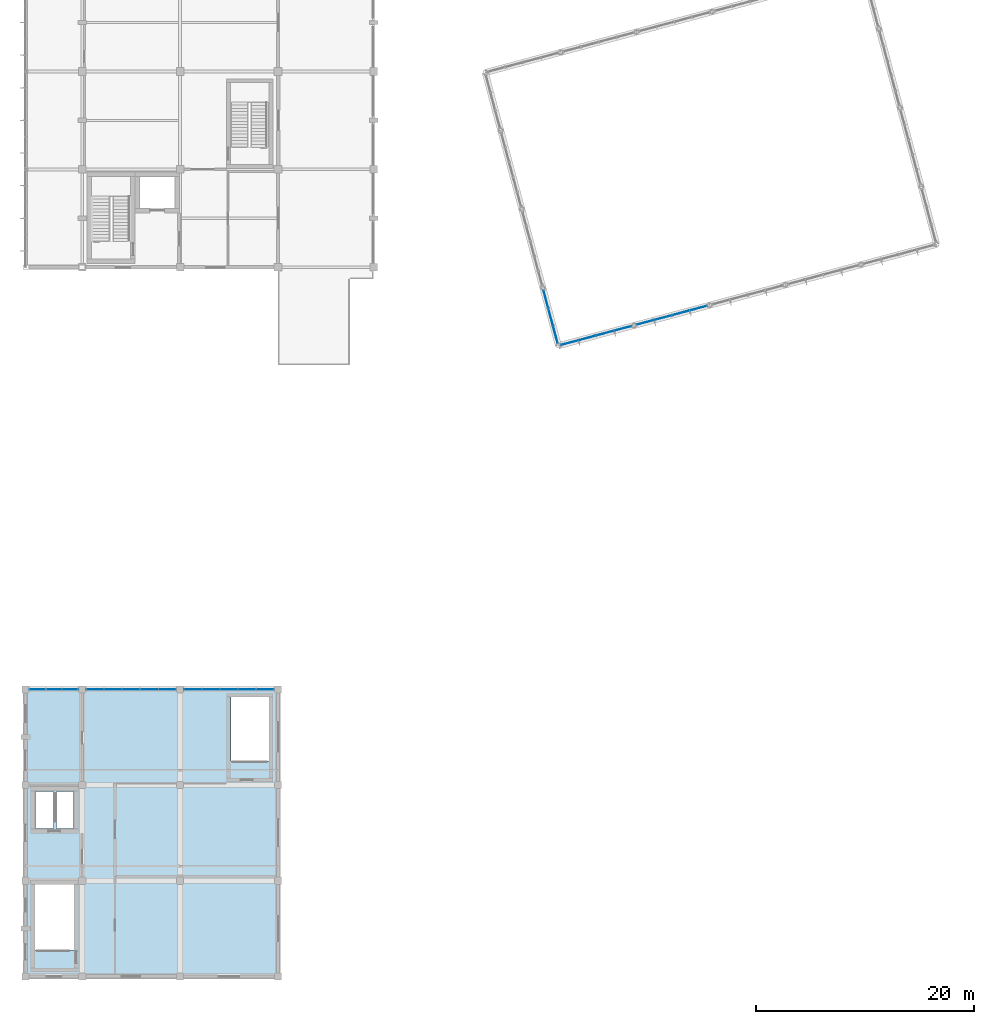
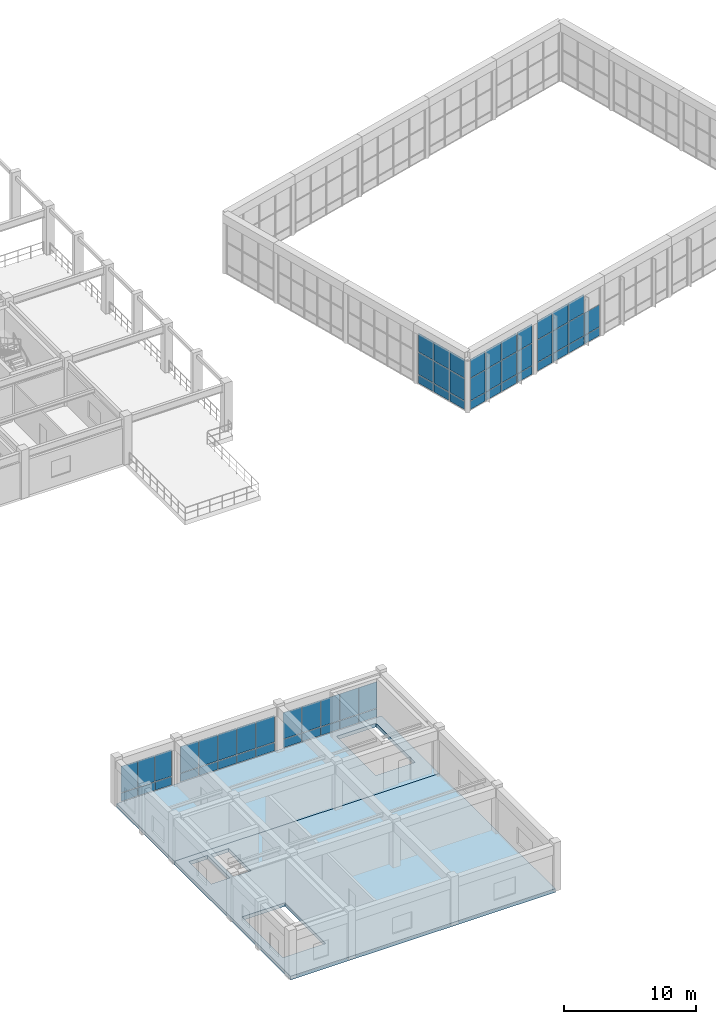
# One storey, part 37 of 55: 58 plates, 2 slabs, 6 elements without a shape of their own.
"""IFC4 building model written with IfcOpenShell, lengths in metres."""

from ifc_helpers import new_model, si_unit, direction, frame, origin, origin_2d, place, context, subcontext, project, spatial, polyline, rectangle, outline, extrude, material, layer, layer_set, type_object, element, aggregate, save


model = new_model("IFC4")

# Units and contexts
model_context = context("Model", 3, precision=1e-05, world=origin(), true_north=direction((0.0, 1.0)))
body_context = subcontext(model_context, "Body", "Model", "MODEL_VIEW")
ifc_project = project(units=[si_unit("LENGTHUNIT", "METRE"), si_unit("AREAUNIT", "SQUARE_METRE"), si_unit("VOLUMEUNIT", "CUBIC_METRE"), si_unit("PLANEANGLEUNIT", "RADIAN"), si_unit("MASSUNIT", "GRAM", prefix="KILO")], contexts=[model_context])

# Site, building, storey
site_placement = place(None, origin())
site = spatial("IfcSite", under=ifc_project, at=site_placement, CompositionType="ELEMENT")
building_placement = place(site_placement, origin())
building = spatial("IfcBuilding", under=site, at=building_placement, Name="Ventoquebrada Cableway Terminal", CompositionType="ELEMENT")
storey_placement = place(building_placement, frame((0.0, 0.0, 14.39990234375)))
storey = spatial("IfcBuildingStorey", under=building, at=storey_placement, Name="L03", CompositionType="ELEMENT", Elevation=14.39990234375)

# Curtain wall, plate
ifc_material_1 = material(Name="Anodized thermally-broken aluminium", Category="aluminium")
ifc_layer_1 = layer(ifc_material_1, 0.159912109375)
ifc_layer_set_1 = layer_set([ifc_layer_1], Name="Anodized thermally-broken aluminium")
curtain_wall_type_1 = type_object("IfcCurtainWallType", Name="CW-T10", PredefinedType="USERDEFINED", material=ifc_layer_set_1)
curtain_wall_1_placement = place(storey_placement, origin())
curtain_wall_1 = element("IfcCurtainWall", 1, at=curtain_wall_1_placement, inside=storey, type_object=curtain_wall_type_1, Name="Unitised glazed curtain wall CW-020", ObjectType="UNITISED CURTAIN WALL", PredefinedType="USERDEFINED")
ifc_material_2 = material(Name="Double low-e laminated safety glazing", Category="glass")
ifc_layer_2 = layer(ifc_material_2, 0.031982421875)
ifc_layer_set_2 = layer_set([ifc_layer_2], Name="Double low-e laminated safety glazing")
plate_type_1 = type_object("IfcPlateType", Name="CWP-GL1", PredefinedType="CURTAIN_PANEL", material=ifc_layer_set_2)
plate_1_placement = place(storey_placement, frame((5.60009765625, 38.199951171875, 0.8798828125), z_axis=(0.0, 0.0, 1.0), x_axis=(-1.0, 0.0, 0.0)))
plate_1 = element("IfcPlate", 2, at=plate_1_placement, type_object=plate_type_1, Name="Vision glazing panel PN-0205", PredefinedType="CURTAIN_PANEL", context=body_context, shape_type="SweptSolid", body=[
    extrude(rectangle(XDim=1.468994140625, YDim=0.031982421875, at=origin_2d()), origin(), (0.0, 0.0, 1.0), 2.430908203125),
])

# Curtain wall, plates
ifc_layer_3 = layer(ifc_material_1, 0.159912109375)
ifc_layer_set_3 = layer_set([ifc_layer_3], Name="Anodized thermally-broken aluminium")
curtain_wall_type_2 = type_object("IfcCurtainWallType", Name="CW-T11", PredefinedType="USERDEFINED", material=ifc_layer_set_3)
curtain_wall_2_placement = place(storey_placement, origin())
curtain_wall_2 = element("IfcCurtainWall", 3, at=curtain_wall_2_placement, inside=storey, type_object=curtain_wall_type_2, Name="Unitised glazed curtain wall CW-021", ObjectType="UNITISED CURTAIN WALL", PredefinedType="USERDEFINED")
plate_2_placement = place(storey_placement, frame((14.367919921875, 38.199951171875, 0.8798828125), z_axis=(0.0, 0.0, 1.0), x_axis=(-1.0, 0.0, 0.0)))
plate_2 = element("IfcPlate", 4, at=plate_2_placement, type_object=plate_type_1, Name="Vision glazing panel PN-0211", PredefinedType="CURTAIN_PANEL", context=body_context, shape_type="SweptSolid", body=[
    extrude(rectangle(XDim=1.6240234375, YDim=0.031982421875, at=origin_2d()), origin(), (0.0, 0.0, 1.0), 2.430908203125),
])
plate_3_placement = place(storey_placement, frame((11.031982421875, 38.199951171875, 0.8798828125), z_axis=(0.0, 0.0, 1.0), x_axis=(-1.0, 0.0, 0.0)))
plate_3 = element("IfcPlate", 5, at=plate_3_placement, type_object=plate_type_1, Name="Vision glazing panel PN-0215", PredefinedType="CURTAIN_PANEL", context=body_context, shape_type="SweptSolid", body=[
    extrude(rectangle(XDim=1.6240234375, YDim=0.031982421875, at=origin_2d()), origin(), (0.0, 0.0, 1.0), 2.430908203125),
])

curtain_wall_3_placement = place(storey_placement, origin())
curtain_wall_3 = element("IfcCurtainWall", 6, at=curtain_wall_3_placement, inside=storey, type_object=curtain_wall_type_2, Name="Unitised glazed curtain wall CW-022", ObjectType="UNITISED CURTAIN WALL", PredefinedType="USERDEFINED")
plate_4_placement = place(storey_placement, frame((23.367919921875, 38.199951171875, 0.8798828125), z_axis=(0.0, 0.0, 1.0), x_axis=(-1.0, 0.0, 0.0)))
plate_4 = element("IfcPlate", 7, at=plate_4_placement, type_object=plate_type_1, Name="Vision glazing panel PN-0221", PredefinedType="CURTAIN_PANEL", context=body_context, shape_type="SweptSolid", body=[
    extrude(rectangle(XDim=1.6240234375, YDim=0.031982421875, at=origin_2d()), origin(), (0.0, 0.0, 1.0), 2.430908203125),
])
plate_5_placement = place(storey_placement, frame((20.031982421875, 38.199951171875, 0.8798828125), z_axis=(0.0, 0.0, 1.0), x_axis=(-1.0, 0.0, 0.0)))
plate_5 = element("IfcPlate", 8, at=plate_5_placement, type_object=plate_type_1, Name="Vision glazing panel PN-0225", PredefinedType="CURTAIN_PANEL", context=body_context, shape_type="SweptSolid", body=[
    extrude(rectangle(XDim=1.6240234375, YDim=0.031982421875, at=origin_2d()), origin(), (0.0, 0.0, 1.0), 2.430908203125),
])

ifc_layer_4 = layer(ifc_material_1, 0.159912109375)
ifc_layer_set_4 = layer_set([ifc_layer_4], Name="Anodized thermally-broken aluminium")
curtain_wall_type_3 = type_object("IfcCurtainWallType", Name="CW-T42", PredefinedType="USERDEFINED", material=ifc_layer_set_4)
curtain_wall_4_placement = place(storey_placement, origin())
curtain_wall_4 = element("IfcCurtainWall", 9, at=curtain_wall_4_placement, inside=storey, type_object=curtain_wall_type_3, Name="Unitised glazed curtain wall CW-115", ObjectType="UNITISED CURTAIN WALL", PredefinedType="USERDEFINED")
plate_6_placement = place(storey_placement, frame((53.014892578125, 70.06201171875, 2.9697265625), z_axis=(0.0, 0.0, 1.0), x_axis=(0.965921308897, 0.258835903649, 0.0)))
plate_6 = element("IfcPlate", 10, at=plate_6_placement, type_object=plate_type_1, Name="Vision glazing panel PN-1193", PredefinedType="CURTAIN_PANEL", context=body_context, shape_type="SweptSolid", body=[
    extrude(rectangle(XDim=1.60205078125, YDim=0.031982421875, at=origin_2d()), origin(), (0.0, 0.0, 1.0), 1.720947265625),
])
plate_7_placement = place(storey_placement, frame((54.635986328125, 70.49609375, 0.874267578125), z_axis=(0.0, 0.0, 1.0), x_axis=(0.965921308897, 0.258835903649, 0.0)))
plate_7 = element("IfcPlate", 11, at=plate_7_placement, type_object=plate_type_1, Name="Vision glazing panel PN-1195", PredefinedType="CURTAIN_PANEL", context=body_context, shape_type="SweptSolid", body=[
    extrude(rectangle(XDim=1.636962890625, YDim=0.031982421875, at=origin_2d()), origin(), (0.0, 0.0, 1.0), 2.0458984375),
])
plate_8_placement = place(storey_placement, frame((56.27490234375, 70.93603515625, 2.9697265625), z_axis=(0.0, 0.0, 1.0), x_axis=(0.965921308897, 0.258835903649, 0.0)))
plate_8 = element("IfcPlate", 12, at=plate_8_placement, type_object=plate_type_1, Name="Vision glazing panel PN-1199", PredefinedType="CURTAIN_PANEL", context=body_context, shape_type="SweptSolid", body=[
    extrude(rectangle(XDim=1.636962890625, YDim=0.031982421875, at=origin_2d()), origin(), (0.0, 0.0, 1.0), 1.720947265625),
])
plate_9_placement = place(storey_placement, frame((57.89599609375, 71.3701171875, 0.874267578125), z_axis=(0.0, 0.0, 1.0), x_axis=(0.965921308897, 0.258835903649, 0.0)))
plate_9 = element("IfcPlate", 13, at=plate_9_placement, type_object=plate_type_1, Name="Vision glazing panel PN-1201", PredefinedType="CURTAIN_PANEL", context=body_context, shape_type="SweptSolid", body=[
    extrude(rectangle(XDim=1.60205078125, YDim=0.031982421875, at=origin_2d()), origin(), (0.0, 0.0, 1.0), 2.0458984375),
])

curtain_wall_5_placement = place(storey_placement, origin())
curtain_wall_5 = element("IfcCurtainWall", 14, at=curtain_wall_5_placement, inside=storey, type_object=curtain_wall_type_3, Name="Unitised glazed curtain wall CW-116", ObjectType="UNITISED CURTAIN WALL", PredefinedType="USERDEFINED")
plate_10_placement = place(storey_placement, frame((59.969970703125, 71.925048828125, 2.9697265625), z_axis=(0.0, 0.0, 1.0), x_axis=(0.965948408834, 0.258734751187, 0.0)))
plate_10 = element("IfcPlate", 15, at=plate_10_placement, type_object=plate_type_1, Name="Vision glazing panel PN-1205", PredefinedType="CURTAIN_PANEL", context=body_context, shape_type="SweptSolid", body=[
    extrude(rectangle(XDim=1.60205078125, YDim=0.031982421875, at=origin_2d()), origin(), (0.0, 0.0, 1.0), 1.720947265625),
])
plate_11_placement = place(storey_placement, frame((61.591064453125, 72.360107421875, 0.874267578125), z_axis=(0.0, 0.0, 1.0), x_axis=(0.965948408834, 0.258734751187, 0.0)))
plate_11 = element("IfcPlate", 16, at=plate_11_placement, type_object=plate_type_1, Name="Vision glazing panel PN-1207", PredefinedType="CURTAIN_PANEL", context=body_context, shape_type="SweptSolid", body=[
    extrude(rectangle(XDim=1.636962890625, YDim=0.031982421875, at=origin_2d()), origin(), (0.0, 0.0, 1.0), 2.0458984375),
])
plate_12_placement = place(storey_placement, frame((63.22900390625, 72.799072265625, 2.9697265625), z_axis=(0.0, 0.0, 1.0), x_axis=(0.965948408834, 0.258734751187, 0.0)))
plate_12 = element("IfcPlate", 17, at=plate_12_placement, type_object=plate_type_1, Name="Vision glazing panel PN-1211", PredefinedType="CURTAIN_PANEL", context=body_context, shape_type="SweptSolid", body=[
    extrude(rectangle(XDim=1.636962890625, YDim=0.031982421875, at=origin_2d()), origin(), (0.0, 0.0, 1.0), 1.720947265625),
])
plate_13_placement = place(storey_placement, frame((64.85009765625, 73.23291015625, 0.874267578125), z_axis=(0.0, 0.0, 1.0), x_axis=(0.965948408834, 0.258734751187, 0.0)))
plate_13 = element("IfcPlate", 18, at=plate_13_placement, type_object=plate_type_1, Name="Vision glazing panel PN-1213", PredefinedType="CURTAIN_PANEL", context=body_context, shape_type="SweptSolid", body=[
    extrude(rectangle(XDim=1.60205078125, YDim=0.031982421875, at=origin_2d()), origin(), (0.0, 0.0, 1.0), 2.0458984375),
])

ifc_layer_5 = layer(ifc_material_1, 0.159912109375)
ifc_layer_set_5 = layer_set([ifc_layer_5], Name="Anodized thermally-broken aluminium")
curtain_wall_type_4 = type_object("IfcCurtainWallType", Name="CW-T43", PredefinedType="USERDEFINED", material=ifc_layer_set_5)
curtain_wall_6_placement = place(storey_placement, origin())
curtain_wall_6 = element("IfcCurtainWall", 19, at=curtain_wall_6_placement, inside=storey, type_object=curtain_wall_type_4, Name="Unitised glazed curtain wall CW-125", ObjectType="UNITISED CURTAIN WALL", PredefinedType="USERDEFINED")
plate_14_placement = place(storey_placement, frame((50.8310546875, 74.06103515625, 2.974609375), z_axis=(0.0, 0.0, 1.0), x_axis=(0.258835903649, -0.965921308897, 0.0)))
plate_14 = element("IfcPlate", 20, at=plate_14_placement, type_object=plate_type_1, Name="Vision glazing panel PN-1313", PredefinedType="CURTAIN_PANEL", context=body_context, shape_type="SweptSolid", body=[
    extrude(rectangle(XDim=1.60107421875, YDim=0.031982421875, at=origin_2d()), origin(), (0.0, 0.0, 1.0), 1.7109375),
])
plate_15_placement = place(storey_placement, frame((51.26611328125, 72.44091796875, 0.87939453125), z_axis=(0.0, 0.0, 1.0), x_axis=(0.258835903649, -0.965921308897, 0.0)))
plate_15 = element("IfcPlate", 21, at=plate_15_placement, type_object=plate_type_1, Name="Vision glazing panel PN-1315", PredefinedType="CURTAIN_PANEL", context=body_context, shape_type="SweptSolid", body=[
    extrude(rectangle(XDim=1.635986328125, YDim=0.031982421875, at=origin_2d()), origin(), (0.0, 0.0, 1.0), 2.035888671875),
])
plate_16_placement = place(storey_placement, frame((51.699951171875, 70.820068359375, 2.974609375), z_axis=(0.0, 0.0, 1.0), x_axis=(0.258835903649, -0.965921308897, 0.0)))
plate_16 = element("IfcPlate", 22, at=plate_16_placement, type_object=plate_type_1, Name="Vision glazing panel PN-1319", PredefinedType="CURTAIN_PANEL", context=body_context, shape_type="SweptSolid", body=[
    extrude(rectangle(XDim=1.60107421875, YDim=0.031982421875, at=origin_2d()), origin(), (0.0, 0.0, 1.0), 1.7109375),
])

# Plate
ifc_layer_6 = layer(ifc_material_2, 0.0380859375)
ifc_layer_set_6 = layer_set([ifc_layer_6], Name="Double low-e laminated safety glazing")
plate_type_2 = type_object("IfcPlateType", Name="CWP-GL2", PredefinedType="CURTAIN_PANEL", material=ifc_layer_set_6)
plate_17_placement = place(storey_placement, frame((7.095947265625, 38.199951171875, 0.8798828125), z_axis=(0.0, 0.0, 1.0), x_axis=(-1.0, 0.0, 0.0)))
plate_17 = element("IfcPlate", 23, at=plate_17_placement, type_object=plate_type_2, Name="Vision glazing panel PN-0203", PredefinedType="CURTAIN_PANEL", context=body_context, shape_type="SweptSolid", body=[
    extrude(rectangle(XDim=1.43408203125, YDim=0.0380859375, at=origin_2d()), origin(), (0.0, 0.0, 1.0), 2.430908203125),
])

plate_18_placement = place(storey_placement, frame((4.10400390625, 38.199951171875, 0.8798828125), z_axis=(0.0, 0.0, 1.0), x_axis=(-1.0, 0.0, 0.0)))
plate_18 = element("IfcPlate", 24, at=plate_18_placement, type_object=plate_type_2, Name="Vision glazing panel PN-0207", PredefinedType="CURTAIN_PANEL", context=body_context, shape_type="SweptSolid", body=[
    extrude(rectangle(XDim=1.43408203125, YDim=0.0380859375, at=origin_2d()), origin(), (0.0, 0.0, 1.0), 2.430908203125),
])

plate_19_placement = place(storey_placement, frame((16.01806640625, 38.199951171875, 0.8798828125), z_axis=(0.0, 0.0, 1.0), x_axis=(-1.0, 0.0, 0.0)))
plate_19 = element("IfcPlate", 25, at=plate_19_placement, type_object=plate_type_2, Name="Vision glazing panel PN-0209", PredefinedType="CURTAIN_PANEL", context=body_context, shape_type="SweptSolid", body=[
    extrude(rectangle(XDim=1.589111328125, YDim=0.0380859375, at=origin_2d()), origin(), (0.0, 0.0, 1.0), 2.430908203125),
])

plate_20_placement = place(storey_placement, frame((12.699951171875, 38.199951171875, 0.8798828125), z_axis=(0.0, 0.0, 1.0), x_axis=(-1.0, 0.0, 0.0)))
plate_20 = element("IfcPlate", 26, at=plate_20_placement, type_object=plate_type_2, Name="Vision glazing panel PN-0213", PredefinedType="CURTAIN_PANEL", context=body_context, shape_type="SweptSolid", body=[
    extrude(rectangle(XDim=1.6240234375, YDim=0.0380859375, at=origin_2d()), origin(), (0.0, 0.0, 1.0), 2.430908203125),
])

plate_21_placement = place(storey_placement, frame((9.381103515625, 38.199951171875, 0.8798828125), z_axis=(0.0, 0.0, 1.0), x_axis=(-1.0, 0.0, 0.0)))
plate_21 = element("IfcPlate", 27, at=plate_21_placement, type_object=plate_type_2, Name="Vision glazing panel PN-0217", PredefinedType="CURTAIN_PANEL", context=body_context, shape_type="SweptSolid", body=[
    extrude(rectangle(XDim=1.589111328125, YDim=0.0380859375, at=origin_2d()), origin(), (0.0, 0.0, 1.0), 2.430908203125),
])

plate_22_placement = place(storey_placement, frame((25.01806640625, 38.199951171875, 0.8798828125), z_axis=(0.0, 0.0, 1.0), x_axis=(-1.0, 0.0, 0.0)))
plate_22 = element("IfcPlate", 28, at=plate_22_placement, type_object=plate_type_2, Name="Vision glazing panel PN-0219", PredefinedType="CURTAIN_PANEL", context=body_context, shape_type="SweptSolid", body=[
    extrude(rectangle(XDim=1.589111328125, YDim=0.0380859375, at=origin_2d()), origin(), (0.0, 0.0, 1.0), 2.430908203125),
])

plate_23_placement = place(storey_placement, frame((21.699951171875, 38.199951171875, 0.8798828125), z_axis=(0.0, 0.0, 1.0), x_axis=(-1.0, 0.0, 0.0)))
plate_23 = element("IfcPlate", 29, at=plate_23_placement, type_object=plate_type_2, Name="Vision glazing panel PN-0223", PredefinedType="CURTAIN_PANEL", context=body_context, shape_type="SweptSolid", body=[
    extrude(rectangle(XDim=1.6240234375, YDim=0.0380859375, at=origin_2d()), origin(), (0.0, 0.0, 1.0), 2.430908203125),
])

plate_24_placement = place(storey_placement, frame((18.381103515625, 38.199951171875, 0.8798828125), z_axis=(0.0, 0.0, 1.0), x_axis=(-1.0, 0.0, 0.0)))
plate_24 = element("IfcPlate", 30, at=plate_24_placement, type_object=plate_type_2, Name="Vision glazing panel PN-0227", PredefinedType="CURTAIN_PANEL", context=body_context, shape_type="SweptSolid", body=[
    extrude(rectangle(XDim=1.589111328125, YDim=0.0380859375, at=origin_2d()), origin(), (0.0, 0.0, 1.0), 2.430908203125),
])

plate_25_placement = place(storey_placement, frame((53.014892578125, 70.06201171875, 0.874267578125), z_axis=(0.0, 0.0, 1.0), x_axis=(0.965921308897, 0.258835903649, 0.0)))
plate_25 = element("IfcPlate", 31, at=plate_25_placement, type_object=plate_type_2, Name="Vision glazing panel PN-1192", PredefinedType="CURTAIN_PANEL", context=body_context, shape_type="SweptSolid", body=[
    extrude(rectangle(XDim=1.60205078125, YDim=0.0380859375, at=origin_2d()), origin(), (0.0, 0.0, 1.0), 2.0458984375),
])

plate_26_placement = place(storey_placement, frame((54.635986328125, 70.49609375, 2.9697265625), z_axis=(0.0, 0.0, 1.0), x_axis=(0.965921308897, 0.258835903649, 0.0)))
plate_26 = element("IfcPlate", 32, at=plate_26_placement, type_object=plate_type_2, Name="Vision glazing panel PN-1196", PredefinedType="CURTAIN_PANEL", context=body_context, shape_type="SweptSolid", body=[
    extrude(rectangle(XDim=1.636962890625, YDim=0.0380859375, at=origin_2d()), origin(), (0.0, 0.0, 1.0), 1.720947265625),
])

plate_27_placement = place(storey_placement, frame((56.27490234375, 70.93603515625, 0.874267578125), z_axis=(0.0, 0.0, 1.0), x_axis=(0.965921308897, 0.258835903649, 0.0)))
plate_27 = element("IfcPlate", 33, at=plate_27_placement, type_object=plate_type_2, Name="Vision glazing panel PN-1198", PredefinedType="CURTAIN_PANEL", context=body_context, shape_type="SweptSolid", body=[
    extrude(rectangle(XDim=1.636962890625, YDim=0.0380859375, at=origin_2d()), origin(), (0.0, 0.0, 1.0), 2.0458984375),
])

plate_28_placement = place(storey_placement, frame((57.89599609375, 71.3701171875, 2.9697265625), z_axis=(0.0, 0.0, 1.0), x_axis=(0.965921308897, 0.258835903649, 0.0)))
plate_28 = element("IfcPlate", 34, at=plate_28_placement, type_object=plate_type_2, Name="Vision glazing panel PN-1202", PredefinedType="CURTAIN_PANEL", context=body_context, shape_type="SweptSolid", body=[
    extrude(rectangle(XDim=1.60205078125, YDim=0.0380859375, at=origin_2d()), origin(), (0.0, 0.0, 1.0), 1.720947265625),
])

plate_29_placement = place(storey_placement, frame((59.969970703125, 71.925048828125, 0.874267578125), z_axis=(0.0, 0.0, 1.0), x_axis=(0.965948408834, 0.258734751187, 0.0)))
plate_29 = element("IfcPlate", 35, at=plate_29_placement, type_object=plate_type_2, Name="Vision glazing panel PN-1204", PredefinedType="CURTAIN_PANEL", context=body_context, shape_type="SweptSolid", body=[
    extrude(rectangle(XDim=1.60205078125, YDim=0.0380859375, at=origin_2d()), origin(), (0.0, 0.0, 1.0), 2.0458984375),
])

plate_30_placement = place(storey_placement, frame((61.591064453125, 72.360107421875, 2.9697265625), z_axis=(0.0, 0.0, 1.0), x_axis=(0.965948408834, 0.258734751187, 0.0)))
plate_30 = element("IfcPlate", 36, at=plate_30_placement, type_object=plate_type_2, Name="Vision glazing panel PN-1208", PredefinedType="CURTAIN_PANEL", context=body_context, shape_type="SweptSolid", body=[
    extrude(rectangle(XDim=1.636962890625, YDim=0.0380859375, at=origin_2d()), origin(), (0.0, 0.0, 1.0), 1.720947265625),
])

plate_31_placement = place(storey_placement, frame((63.22900390625, 72.799072265625, 0.874267578125), z_axis=(0.0, 0.0, 1.0), x_axis=(0.965948408834, 0.258734751187, 0.0)))
plate_31 = element("IfcPlate", 37, at=plate_31_placement, type_object=plate_type_2, Name="Vision glazing panel PN-1210", PredefinedType="CURTAIN_PANEL", context=body_context, shape_type="SweptSolid", body=[
    extrude(rectangle(XDim=1.636962890625, YDim=0.0380859375, at=origin_2d()), origin(), (0.0, 0.0, 1.0), 2.0458984375),
])

plate_32_placement = place(storey_placement, frame((50.8310546875, 74.06103515625, 0.87939453125), z_axis=(0.0, 0.0, 1.0), x_axis=(0.258835903649, -0.965921308897, 0.0)))
plate_32 = element("IfcPlate", 38, at=plate_32_placement, type_object=plate_type_2, Name="Vision glazing panel PN-1312", PredefinedType="CURTAIN_PANEL", context=body_context, shape_type="SweptSolid", body=[
    extrude(rectangle(XDim=1.60107421875, YDim=0.0380859375, at=origin_2d()), origin(), (0.0, 0.0, 1.0), 2.035888671875),
])

plate_33_placement = place(storey_placement, frame((51.26611328125, 72.44091796875, 2.974609375), z_axis=(0.0, 0.0, 1.0), x_axis=(0.258835903649, -0.965921308897, 0.0)))
plate_33 = element("IfcPlate", 39, at=plate_33_placement, type_object=plate_type_2, Name="Vision glazing panel PN-1316", PredefinedType="CURTAIN_PANEL", context=body_context, shape_type="SweptSolid", body=[
    extrude(rectangle(XDim=1.635986328125, YDim=0.0380859375, at=origin_2d()), origin(), (0.0, 0.0, 1.0), 1.7109375),
])

plate_34_placement = place(storey_placement, frame((51.699951171875, 70.820068359375, 0.87939453125), z_axis=(0.0, 0.0, 1.0), x_axis=(0.258835903649, -0.965921308897, 0.0)))
plate_34 = element("IfcPlate", 40, at=plate_34_placement, type_object=plate_type_2, Name="Vision glazing panel PN-1318", PredefinedType="CURTAIN_PANEL", context=body_context, shape_type="SweptSolid", body=[
    extrude(rectangle(XDim=1.60107421875, YDim=0.0380859375, at=origin_2d()), origin(), (0.0, 0.0, 1.0), 2.035888671875),
])

ifc_material_3 = material(Name="Insulated aluminium spandrel cassette", Category="aluminium")
ifc_layer_7 = layer(ifc_material_3, 0.044921875)
ifc_layer_set_7 = layer_set([ifc_layer_7], Name="Insulated aluminium spandrel cassette")
plate_type_3 = type_object("IfcPlateType", Name="CWP-SP1", PredefinedType="CURTAIN_PANEL", material=ifc_layer_set_7)
plate_35_placement = place(storey_placement, frame((7.095947265625, 38.199951171875, 0.06494140625), z_axis=(0.0, 0.0, 1.0), x_axis=(-1.0, 0.0, 0.0)))
plate_35 = element("IfcPlate", 41, at=plate_35_placement, type_object=plate_type_3, Name="Insulated spandrel panel PN-0202", PredefinedType="CURTAIN_PANEL", context=body_context, shape_type="SweptSolid", body=[
    extrude(rectangle(XDim=1.43408203125, YDim=0.044921875, at=origin_2d()), origin(), (0.0, 0.0, 1.0), 0.756103515625),
])

plate_36_placement = place(storey_placement, frame((5.60009765625, 38.199951171875, 0.06494140625), z_axis=(0.0, 0.0, 1.0), x_axis=(-1.0, 0.0, 0.0)))
plate_36 = element("IfcPlate", 42, at=plate_36_placement, type_object=plate_type_3, Name="Insulated spandrel panel PN-0204", PredefinedType="CURTAIN_PANEL", context=body_context, shape_type="SweptSolid", body=[
    extrude(rectangle(XDim=1.468994140625, YDim=0.044921875, at=origin_2d()), origin(), (0.0, 0.0, 1.0), 0.756103515625),
])

plate_37_placement = place(storey_placement, frame((4.10400390625, 38.199951171875, 0.06494140625), z_axis=(0.0, 0.0, 1.0), x_axis=(-1.0, 0.0, 0.0)))
plate_37 = element("IfcPlate", 43, at=plate_37_placement, type_object=plate_type_3, Name="Insulated spandrel panel PN-0206", PredefinedType="CURTAIN_PANEL", context=body_context, shape_type="SweptSolid", body=[
    extrude(rectangle(XDim=1.43408203125, YDim=0.044921875, at=origin_2d()), origin(), (0.0, 0.0, 1.0), 0.756103515625),
])

aggregate(curtain_wall_1, [plate_35, plate_17, plate_36, plate_1, plate_37, plate_18])

plate_38_placement = place(storey_placement, frame((16.01806640625, 38.199951171875, 0.06494140625), z_axis=(0.0, 0.0, 1.0), x_axis=(-1.0, 0.0, 0.0)))
plate_38 = element("IfcPlate", 44, at=plate_38_placement, type_object=plate_type_3, Name="Insulated spandrel panel PN-0208", PredefinedType="CURTAIN_PANEL", context=body_context, shape_type="SweptSolid", body=[
    extrude(rectangle(XDim=1.589111328125, YDim=0.044921875, at=origin_2d()), origin(), (0.0, 0.0, 1.0), 0.756103515625),
])

plate_39_placement = place(storey_placement, frame((14.367919921875, 38.199951171875, 0.06494140625), z_axis=(0.0, 0.0, 1.0), x_axis=(-1.0, 0.0, 0.0)))
plate_39 = element("IfcPlate", 45, at=plate_39_placement, type_object=plate_type_3, Name="Insulated spandrel panel PN-0210", PredefinedType="CURTAIN_PANEL", context=body_context, shape_type="SweptSolid", body=[
    extrude(rectangle(XDim=1.6240234375, YDim=0.044921875, at=origin_2d()), origin(), (0.0, 0.0, 1.0), 0.756103515625),
])

plate_40_placement = place(storey_placement, frame((12.699951171875, 38.199951171875, 0.06494140625), z_axis=(0.0, 0.0, 1.0), x_axis=(-1.0, 0.0, 0.0)))
plate_40 = element("IfcPlate", 46, at=plate_40_placement, type_object=plate_type_3, Name="Insulated spandrel panel PN-0212", PredefinedType="CURTAIN_PANEL", context=body_context, shape_type="SweptSolid", body=[
    extrude(rectangle(XDim=1.6240234375, YDim=0.044921875, at=origin_2d()), origin(), (0.0, 0.0, 1.0), 0.756103515625),
])

plate_41_placement = place(storey_placement, frame((11.031982421875, 38.199951171875, 0.06494140625), z_axis=(0.0, 0.0, 1.0), x_axis=(-1.0, 0.0, 0.0)))
plate_41 = element("IfcPlate", 47, at=plate_41_placement, type_object=plate_type_3, Name="Insulated spandrel panel PN-0214", PredefinedType="CURTAIN_PANEL", context=body_context, shape_type="SweptSolid", body=[
    extrude(rectangle(XDim=1.6240234375, YDim=0.044921875, at=origin_2d()), origin(), (0.0, 0.0, 1.0), 0.756103515625),
])

plate_42_placement = place(storey_placement, frame((9.381103515625, 38.199951171875, 0.06494140625), z_axis=(0.0, 0.0, 1.0), x_axis=(-1.0, 0.0, 0.0)))
plate_42 = element("IfcPlate", 48, at=plate_42_placement, type_object=plate_type_3, Name="Insulated spandrel panel PN-0216", PredefinedType="CURTAIN_PANEL", context=body_context, shape_type="SweptSolid", body=[
    extrude(rectangle(XDim=1.589111328125, YDim=0.044921875, at=origin_2d()), origin(), (0.0, 0.0, 1.0), 0.756103515625),
])

aggregate(curtain_wall_2, [plate_38, plate_19, plate_39, plate_2, plate_40, plate_20, plate_41, plate_3, plate_42, plate_21])

plate_43_placement = place(storey_placement, frame((25.01806640625, 38.199951171875, 0.06494140625), z_axis=(0.0, 0.0, 1.0), x_axis=(-1.0, 0.0, 0.0)))
plate_43 = element("IfcPlate", 49, at=plate_43_placement, type_object=plate_type_3, Name="Insulated spandrel panel PN-0218", PredefinedType="CURTAIN_PANEL", context=body_context, shape_type="SweptSolid", body=[
    extrude(rectangle(XDim=1.589111328125, YDim=0.044921875, at=origin_2d()), origin(), (0.0, 0.0, 1.0), 0.756103515625),
])

plate_44_placement = place(storey_placement, frame((23.367919921875, 38.199951171875, 0.06494140625), z_axis=(0.0, 0.0, 1.0), x_axis=(-1.0, 0.0, 0.0)))
plate_44 = element("IfcPlate", 50, at=plate_44_placement, type_object=plate_type_3, Name="Insulated spandrel panel PN-0220", PredefinedType="CURTAIN_PANEL", context=body_context, shape_type="SweptSolid", body=[
    extrude(rectangle(XDim=1.6240234375, YDim=0.044921875, at=origin_2d()), origin(), (0.0, 0.0, 1.0), 0.756103515625),
])

plate_45_placement = place(storey_placement, frame((21.699951171875, 38.199951171875, 0.06494140625), z_axis=(0.0, 0.0, 1.0), x_axis=(-1.0, 0.0, 0.0)))
plate_45 = element("IfcPlate", 51, at=plate_45_placement, type_object=plate_type_3, Name="Insulated spandrel panel PN-0222", PredefinedType="CURTAIN_PANEL", context=body_context, shape_type="SweptSolid", body=[
    extrude(rectangle(XDim=1.6240234375, YDim=0.044921875, at=origin_2d()), origin(), (0.0, 0.0, 1.0), 0.756103515625),
])

plate_46_placement = place(storey_placement, frame((20.031982421875, 38.199951171875, 0.06494140625), z_axis=(0.0, 0.0, 1.0), x_axis=(-1.0, 0.0, 0.0)))
plate_46 = element("IfcPlate", 52, at=plate_46_placement, type_object=plate_type_3, Name="Insulated spandrel panel PN-0224", PredefinedType="CURTAIN_PANEL", context=body_context, shape_type="SweptSolid", body=[
    extrude(rectangle(XDim=1.6240234375, YDim=0.044921875, at=origin_2d()), origin(), (0.0, 0.0, 1.0), 0.756103515625),
])

plate_47_placement = place(storey_placement, frame((18.381103515625, 38.199951171875, 0.06494140625), z_axis=(0.0, 0.0, 1.0), x_axis=(-1.0, 0.0, 0.0)))
plate_47 = element("IfcPlate", 53, at=plate_47_placement, type_object=plate_type_3, Name="Insulated spandrel panel PN-0226", PredefinedType="CURTAIN_PANEL", context=body_context, shape_type="SweptSolid", body=[
    extrude(rectangle(XDim=1.589111328125, YDim=0.044921875, at=origin_2d()), origin(), (0.0, 0.0, 1.0), 0.756103515625),
])

aggregate(curtain_wall_3, [plate_43, plate_22, plate_44, plate_4, plate_45, plate_23, plate_46, plate_5, plate_47, plate_24])

plate_48_placement = place(storey_placement, frame((53.014892578125, 70.06201171875, 0.06005859375), z_axis=(0.0, 0.0, 1.0), x_axis=(0.965921308897, 0.258835903649, 0.0)))
plate_48 = element("IfcPlate", 54, at=plate_48_placement, type_object=plate_type_3, Name="Insulated spandrel panel PN-1191", PredefinedType="CURTAIN_PANEL", context=body_context, shape_type="SweptSolid", body=[
    extrude(rectangle(XDim=1.60205078125, YDim=0.044921875, at=origin_2d()), origin(), (0.0, 0.0, 1.0), 0.76611328125),
])

plate_49_placement = place(storey_placement, frame((54.635986328125, 70.49609375, 0.06005859375), z_axis=(0.0, 0.0, 1.0), x_axis=(0.965921308897, 0.258835903649, 0.0)))
plate_49 = element("IfcPlate", 55, at=plate_49_placement, type_object=plate_type_3, Name="Insulated spandrel panel PN-1194", PredefinedType="CURTAIN_PANEL", context=body_context, shape_type="SweptSolid", body=[
    extrude(rectangle(XDim=1.636962890625, YDim=0.044921875, at=origin_2d()), origin(), (0.0, 0.0, 1.0), 0.76611328125),
])

plate_50_placement = place(storey_placement, frame((56.27490234375, 70.93603515625, 0.06005859375), z_axis=(0.0, 0.0, 1.0), x_axis=(0.965921308897, 0.258835903649, 0.0)))
plate_50 = element("IfcPlate", 56, at=plate_50_placement, type_object=plate_type_3, Name="Insulated spandrel panel PN-1197", PredefinedType="CURTAIN_PANEL", context=body_context, shape_type="SweptSolid", body=[
    extrude(rectangle(XDim=1.636962890625, YDim=0.044921875, at=origin_2d()), origin(), (0.0, 0.0, 1.0), 0.76611328125),
])

plate_51_placement = place(storey_placement, frame((57.89599609375, 71.3701171875, 0.06005859375), z_axis=(0.0, 0.0, 1.0), x_axis=(0.965921308897, 0.258835903649, 0.0)))
plate_51 = element("IfcPlate", 57, at=plate_51_placement, type_object=plate_type_3, Name="Insulated spandrel panel PN-1200", PredefinedType="CURTAIN_PANEL", context=body_context, shape_type="SweptSolid", body=[
    extrude(rectangle(XDim=1.60205078125, YDim=0.044921875, at=origin_2d()), origin(), (0.0, 0.0, 1.0), 0.76611328125),
])

aggregate(curtain_wall_4, [plate_48, plate_25, plate_6, plate_49, plate_7, plate_26, plate_50, plate_27, plate_8, plate_51, plate_9, plate_28])

plate_52_placement = place(storey_placement, frame((59.969970703125, 71.925048828125, 0.06005859375), z_axis=(0.0, 0.0, 1.0), x_axis=(0.965948408834, 0.258734751187, 0.0)))
plate_52 = element("IfcPlate", 58, at=plate_52_placement, type_object=plate_type_3, Name="Insulated spandrel panel PN-1203", PredefinedType="CURTAIN_PANEL", context=body_context, shape_type="SweptSolid", body=[
    extrude(rectangle(XDim=1.60205078125, YDim=0.044921875, at=origin_2d()), origin(), (0.0, 0.0, 1.0), 0.76611328125),
])

plate_53_placement = place(storey_placement, frame((61.591064453125, 72.360107421875, 0.06005859375), z_axis=(0.0, 0.0, 1.0), x_axis=(0.965948408834, 0.258734751187, 0.0)))
plate_53 = element("IfcPlate", 59, at=plate_53_placement, type_object=plate_type_3, Name="Insulated spandrel panel PN-1206", PredefinedType="CURTAIN_PANEL", context=body_context, shape_type="SweptSolid", body=[
    extrude(rectangle(XDim=1.636962890625, YDim=0.044921875, at=origin_2d()), origin(), (0.0, 0.0, 1.0), 0.76611328125),
])

plate_54_placement = place(storey_placement, frame((63.22900390625, 72.799072265625, 0.06005859375), z_axis=(0.0, 0.0, 1.0), x_axis=(0.965948408834, 0.258734751187, 0.0)))
plate_54 = element("IfcPlate", 60, at=plate_54_placement, type_object=plate_type_3, Name="Insulated spandrel panel PN-1209", PredefinedType="CURTAIN_PANEL", context=body_context, shape_type="SweptSolid", body=[
    extrude(rectangle(XDim=1.636962890625, YDim=0.044921875, at=origin_2d()), origin(), (0.0, 0.0, 1.0), 0.76611328125),
])

plate_55_placement = place(storey_placement, frame((64.85009765625, 73.23291015625, 0.06005859375), z_axis=(0.0, 0.0, 1.0), x_axis=(0.965948408834, 0.258734751187, 0.0)))
plate_55 = element("IfcPlate", 61, at=plate_55_placement, type_object=plate_type_3, Name="Insulated spandrel panel PN-1212", PredefinedType="CURTAIN_PANEL", context=body_context, shape_type="SweptSolid", body=[
    extrude(rectangle(XDim=1.60205078125, YDim=0.044921875, at=origin_2d()), origin(), (0.0, 0.0, 1.0), 0.76611328125),
])

aggregate(curtain_wall_5, [plate_52, plate_29, plate_10, plate_53, plate_11, plate_30, plate_54, plate_31, plate_12, plate_55, plate_13])

plate_56_placement = place(storey_placement, frame((50.8310546875, 74.06103515625, 0.06494140625), z_axis=(0.0, 0.0, 1.0), x_axis=(0.258835903649, -0.965921308897, 0.0)))
plate_56 = element("IfcPlate", 62, at=plate_56_placement, type_object=plate_type_3, Name="Insulated spandrel panel PN-1311", PredefinedType="CURTAIN_PANEL", context=body_context, shape_type="SweptSolid", body=[
    extrude(rectangle(XDim=1.60107421875, YDim=0.044921875, at=origin_2d()), origin(), (0.0, 0.0, 1.0), 0.756103515625),
])

plate_57_placement = place(storey_placement, frame((51.26611328125, 72.44091796875, 0.06494140625), z_axis=(0.0, 0.0, 1.0), x_axis=(0.258835903649, -0.965921308897, 0.0)))
plate_57 = element("IfcPlate", 63, at=plate_57_placement, type_object=plate_type_3, Name="Insulated spandrel panel PN-1314", PredefinedType="CURTAIN_PANEL", context=body_context, shape_type="SweptSolid", body=[
    extrude(rectangle(XDim=1.635986328125, YDim=0.044921875, at=origin_2d()), origin(), (0.0, 0.0, 1.0), 0.756103515625),
])

plate_58_placement = place(storey_placement, frame((51.699951171875, 70.820068359375, 0.06494140625), z_axis=(0.0, 0.0, 1.0), x_axis=(0.258835903649, -0.965921308897, 0.0)))
plate_58 = element("IfcPlate", 64, at=plate_58_placement, type_object=plate_type_3, Name="Insulated spandrel panel PN-1317", PredefinedType="CURTAIN_PANEL", context=body_context, shape_type="SweptSolid", body=[
    extrude(rectangle(XDim=1.60107421875, YDim=0.044921875, at=origin_2d()), origin(), (0.0, 0.0, 1.0), 0.756103515625),
])

aggregate(curtain_wall_6, [plate_56, plate_32, plate_14, plate_57, plate_15, plate_33, plate_58, plate_34, plate_16])

# Slabs
ifc_material_4 = material(Name="Concrete C40/50", Category="concrete")
ifc_layer_8 = layer(ifc_material_4, 0.3349609375)
ifc_layer_set_8 = layer_set([ifc_layer_8], Name="Concrete C40/50")
slab_type = type_object("IfcSlabType", Name="SL-FL3", PredefinedType="FLOOR", material=ifc_layer_set_8)
slab_1_placement = place(storey_placement, frame((0.0, 0.0, -0.3349609375)))
element("IfcSlab", 65, at=slab_1_placement, inside=storey, type_object=slab_type, Name="Reinforced concrete floor slab SL-013", PredefinedType="FLOOR", context=body_context, shape_type="SweptSolid", body=[
    extrude(outline(polyline([(3.0, 29.39990234375), (3.0, 11.800048828125), (26.199951171875, 11.800048828125), (26.199951171875, 29.39990234375), (3.0, 29.39990234375)]), holes=[polyline([(3.75, 20.449951171875), (7.5, 20.449951171875), (7.5, 14.239990234375), (3.75, 14.239990234375), (3.75, 20.449951171875)]), polyline([(5.550048828125, 28.800048828125), (5.550048828125, 25.39990234375), (3.89990234375, 25.39990234375), (3.89990234375, 28.800048828125), (5.550048828125, 28.800048828125)]), polyline([(7.39990234375, 25.39990234375), (5.85009765625, 25.39990234375), (5.85009765625, 28.800048828125), (7.39990234375, 28.800048828125), (7.39990234375, 25.39990234375)])]), origin(), (0.0, 0.0, 1.0), 0.3349609375),
])
slab_2_placement = place(storey_placement, frame((0.0, 0.0, -0.3349609375)))
element("IfcSlab", 66, at=slab_2_placement, inside=storey, type_object=slab_type, Name="Reinforced concrete floor slab SL-014", PredefinedType="FLOOR", context=body_context, shape_type="SweptSolid", body=[
    extrude(outline(polyline([(26.199951171875, 29.39990234375), (26.199951171875, 38.199951171875), (3.0, 38.199951171875), (3.0, 29.39990234375), (26.199951171875, 29.39990234375)]), holes=[polyline([(25.35009765625, 31.590087890625), (21.89990234375, 31.590087890625), (21.89990234375, 37.550048828125), (25.35009765625, 37.550048828125), (25.35009765625, 31.590087890625)])]), origin(), (0.0, 0.0, 1.0), 0.3349609375),
])

save(model, "model.ifc")
